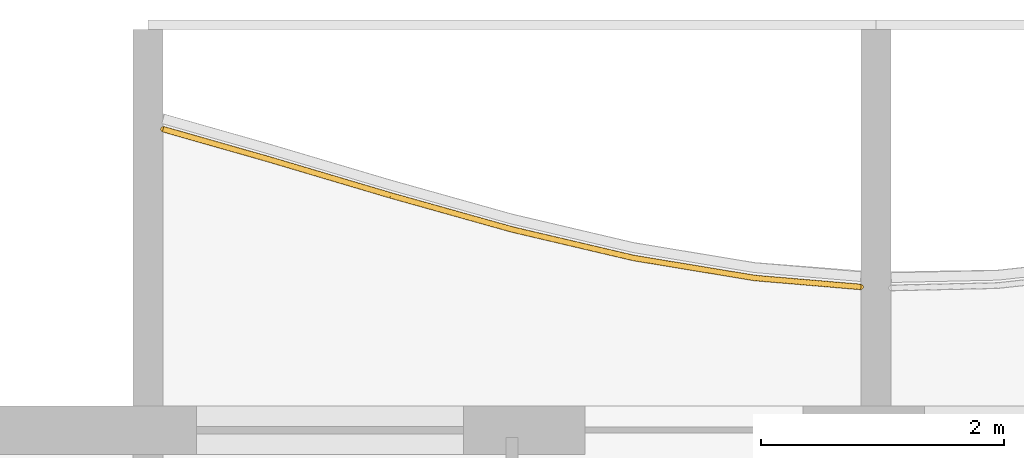
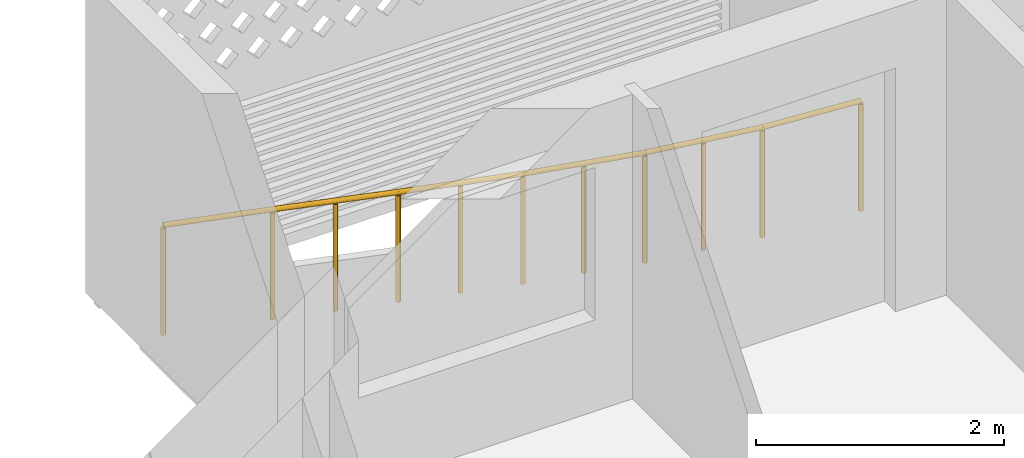
# One storey, part 16 of 27: 1 railing.
"""IFC4 building model written with IfcOpenShell, lengths in metres."""

import ifcopenshell
import ifcopenshell.guid

model = None  # the IFC model being written
_history = None  # IfcOwnerHistory: only IFC2X3 demands one
_inside = {}  # id of a spatial element -> (the spatial element, [elements in it])
_under = {}  # id of a project, library or spatial element -> (it, [spatial elements below it])
_declared = {}  # id of a project -> (the project, [libraries it declares])
_typed = {}  # id of a type object -> (the type object, [elements of that type])
_made_of = {}  # id of a material, layer set ... -> (it, [elements and type objects made of it])


def new_model(schema):
    """Start an empty IFC model of exactly this schema.

    Asked for "IFC4X3", IfcOpenShell would pick the latest addendum, in which some entities
    have other attributes; the version numbers below select the first issue.
    IFC2X3 requires an IfcOwnerHistory on every rooted entity: one is made here for all.
    """
    global model, _history
    if schema == "IFC4X3":
        model = ifcopenshell.file(schema_version=(4, 3, 0, 0))
    else:
        model = ifcopenshell.file(schema=schema)
    _inside.clear()
    _under.clear()
    _declared.clear()
    _typed.clear()
    _made_of.clear()
    _history = None
    if model.schema == "IFC2X3":
        org = make("IfcOrganization", Name="unknown")
        user = make(
            "IfcPersonAndOrganization",
            ThePerson=make("IfcPerson", FamilyName="unknown"),
            TheOrganization=org,
        )
        app = make(
            "IfcApplication",
            ApplicationDeveloper=org,
            Version="unknown",
            ApplicationFullName="unknown",
            ApplicationIdentifier="unknown",
        )
        _history = make(
            "IfcOwnerHistory",
            OwningUser=user,
            OwningApplication=app,
            ChangeAction="ADDED",
            CreationDate=0,
        )
    return model


def make(cls, **values):
    """One entity of the class cls with the attributes given. An attribute that is None is left unset."""
    return model.create_entity(
        cls, **{name: value for name, value in values.items() if value is not None}
    )


def rooted(cls, **values):
    """An entity with a GlobalId (a new one), such as an element, a storey or a relation."""
    return make(cls, GlobalId=ifcopenshell.guid.new(), OwnerHistory=_history, **values)


def si_unit(unit_type, name, prefix=None):
    """IfcSIUnit, for example si_unit("LENGTHUNIT", "METRE", prefix="MILLI")."""
    return make("IfcSIUnit", UnitType=unit_type, Prefix=prefix, Name=name)


def assignment(units):
    """IfcUnitAssignment: the units of a project."""
    return None if units is None else make("IfcUnitAssignment", Units=units)


def point(xyz):
    """IfcCartesianPoint."""
    return None if xyz is None else make("IfcCartesianPoint", Coordinates=xyz)


def direction(xyz):
    """IfcDirection."""
    return None if xyz is None else make("IfcDirection", DirectionRatios=xyz)


def frame(location, z_axis=None, x_axis=None):
    """IfcAxis2Placement3D, a coordinate frame: its origin and axes. An axis left out is left unset."""
    return make(
        "IfcAxis2Placement3D",
        Location=point(location),
        Axis=direction(z_axis),
        RefDirection=direction(x_axis),
    )


def frame_2d(location, x_axis=None):
    """IfcAxis2Placement2D, a coordinate frame in the plane: its origin and x axis."""
    return make(
        "IfcAxis2Placement2D", Location=point(location), RefDirection=direction(x_axis)
    )


def origin():
    """The frame at (0, 0, 0) with its axes left unset."""
    return frame((0.0, 0.0, 0.0))


def origin_2d():
    """The frame at (0, 0) in the plane with its x axis left unset."""
    return frame_2d((0.0, 0.0))


def place(relative_to, where):
    """IfcLocalPlacement: puts the frame where relative to a parent placement (None: the world)."""
    return make(
        "IfcLocalPlacement", PlacementRelTo=relative_to, RelativePlacement=where
    )


def context(
    kind, dimensions, precision=None, world=None, true_north=None, identifier=None
):
    """IfcGeometricRepresentationContext, for example the 3D "Model" context."""
    return make(
        "IfcGeometricRepresentationContext",
        ContextIdentifier=identifier,
        ContextType=kind,
        CoordinateSpaceDimension=dimensions,
        Precision=precision,
        WorldCoordinateSystem=world,
        TrueNorth=true_north,
    )


def subcontext(parent, identifier, kind, view, scale=None):
    """IfcGeometricRepresentationSubContext, for example "Body" below "Model"."""
    return make(
        "IfcGeometricRepresentationSubContext",
        ContextIdentifier=identifier,
        ContextType=kind,
        ParentContext=parent,
        TargetScale=scale,
        TargetView=view,
    )


def project(units=None, contexts=None):
    """IfcProject with its units and contexts."""
    return rooted(
        "IfcProject",
        Name="project",
        RepresentationContexts=contexts,
        UnitsInContext=assignment(units),
    )


def spatial(cls, under=None, at=None, **own):
    """A site, building, storey or space (cls), placed at a placement, below another one or the project."""
    s = rooted(cls, ObjectPlacement=at, **own)
    if under is not None:
        _under.setdefault(under.id(), (under, []))[1].append(s)
    return s


def profile(cls, at=None, kind="AREA", **sizes):
    """A parametric profile (cls). Its sizes go by their IFC names, for example OverallWidth=200.0."""
    return make(cls, ProfileType=kind, Position=at, **sizes)


def circle(**sizes):
    """IfcCircleProfileDef."""
    return profile("IfcCircleProfileDef", **sizes)


def extrude(swept, where, along, depth):
    """IfcExtrudedAreaSolid: the profile swept, set in the frame where, extruded along a direction by depth."""
    return make(
        "IfcExtrudedAreaSolid",
        SweptArea=swept,
        Position=where,
        ExtrudedDirection=direction(along),
        Depth=depth,
    )


def shape(context_of_items, identifier, shape_type, items):
    """IfcShapeRepresentation: the items that make up one representation, for example the "Body"."""
    return make(
        "IfcShapeRepresentation",
        ContextOfItems=context_of_items,
        RepresentationIdentifier=identifier,
        RepresentationType=shape_type,
        Items=items,
    )


def material(Name=None, Category=None):
    """IfcMaterial."""
    return make("IfcMaterial", Name=Name, Category=Category)


def made_of(thing, what):
    """Note that an element or type object is made of a material, layer set ...; save() writes the relation."""
    if what is not None:
        _made_of.setdefault(what.id(), (what, []))[1].append(thing)
    return thing


def type_object(cls, material=None, **own):
    """A type object (cls), such as IfcWallType, which elements share."""
    return made_of(rooted(cls, **own), material)


def element(
    cls,
    number,
    at=None,
    inside=None,
    cuts=None,
    type_object=None,
    material=None,
    context=None,
    identifier="Body",
    shape_type=None,
    held_by="IfcProductDefinitionShape",
    body=None,
    shapes=None,
    **own,
):
    """One element of the class cls, such as IfcWall. Its Tag is "e" and its number.

    at: its placement. inside: the storey or other place that contains it. cuts: it is an
    opening in that element (IfcRelVoidsElement). A single representation is given by context,
    identifier, shape_type and body (its items); several are given by shapes. held_by: the class
    of the entity that holds the representations. save() writes the other relations.
    """
    e = rooted(cls, Tag="e%d" % number, ObjectPlacement=at, **own)
    if body is not None:
        shapes = [shape(context, identifier, shape_type, body)]
    if shapes is not None:
        e.Representation = make(held_by, Representations=shapes)
    if inside is not None:
        _inside.setdefault(inside.id(), (inside, []))[1].append(e)
    if cuts is not None:
        rooted(
            "IfcRelVoidsElement", RelatingBuildingElement=cuts, RelatedOpeningElement=e
        )
    if type_object is not None:
        _typed.setdefault(type_object.id(), (type_object, []))[1].append(e)
    return made_of(e, material)


def aggregate(whole, parts):
    """IfcRelAggregates: a whole, such as a stair, and the parts it consists of."""
    return rooted("IfcRelAggregates", RelatingObject=whole, RelatedObjects=parts)


def save(model, path):
    """Write the relations noted so far, then the file.

    IfcRelAggregates (storeys below a building ...), IfcRelContainedInSpatialStructure (elements
    in a storey), IfcRelDefinesByType, IfcRelAssociatesMaterial and IfcRelDeclares: one each for
    every whole, place, type object, material and project.
    """
    for whole, parts in _under.values():
        aggregate(whole, parts)
    for where, things in _inside.values():
        rooted(
            "IfcRelContainedInSpatialStructure",
            RelatedElements=things,
            RelatingStructure=where,
        )
    for kind, things in _typed.values():
        rooted("IfcRelDefinesByType", RelatedObjects=things, RelatingType=kind)
    for what, things in _made_of.values():
        rooted("IfcRelAssociatesMaterial", RelatedObjects=things, RelatingMaterial=what)
    for by, libraries in _declared.values():
        rooted("IfcRelDeclares", RelatingContext=by, RelatedDefinitions=libraries)
    model.write(path)


model = new_model("IFC4")

# Units and contexts
model_context = context("Model", 3, precision=1e-05, world=origin(), true_north=direction((0.0, 1.0)))
body_context = subcontext(model_context, "Body", "Model", "MODEL_VIEW")
ifc_project = project(units=[si_unit("LENGTHUNIT", "METRE"), si_unit("AREAUNIT", "SQUARE_METRE"), si_unit("VOLUMEUNIT", "CUBIC_METRE"), si_unit("PLANEANGLEUNIT", "RADIAN"), si_unit("MASSUNIT", "GRAM", prefix="KILO")], contexts=[model_context])

# Site, building, storey
site_placement = place(None, origin())
site = spatial("IfcSite", under=ifc_project, at=site_placement, CompositionType="ELEMENT")
building_placement = place(site_placement, origin())
building = spatial("IfcBuilding", under=site, at=building_placement, Name="Poui Terraces", CompositionType="ELEMENT")
storey_placement = place(building_placement, frame((0.0, 0.0, 208.199951171875)))
storey = spatial("IfcBuildingStorey", under=building, at=storey_placement, Name="L58", CompositionType="ELEMENT", Elevation=208.199951171875)

# Railing
ifc_material = material(Name="Painted steel fretwork", Category="steel")
railing_type = type_object("IfcRailingType", Name="BALCONY GUARD 1100", PredefinedType="GUARDRAIL", material=ifc_material)
railing_placement = place(storey_placement, frame((24.125, 43.680419921875, 0.0)))
element("IfcRailing", 1, at=railing_placement, inside=storey, type_object=railing_type, Name="BALCONY GUARD", PredefinedType="GUARDRAIL", context=body_context, shape_type="SweptSolid", body=[
    extrude(circle(Radius=0.02392578125, at=origin_2d()), frame((0.0, 0.0, 1.076171875), z_axis=(0.961736307653, -0.273976777376, 0.0), x_axis=(0.273976777376, 0.961736307653, 0.0)), (0.0, 0.0, 1.0), 0.909912109375),
    extrude(circle(Radius=0.02392578125, at=origin_2d()), frame((0.875, -0.249267578125, 1.076171875), z_axis=(0.958710700624, -0.284383179018, 0.0), x_axis=(0.284383179018, 0.958710700624, 0.0)), (0.0, 0.0, 1.0), 1.04296875),
    extrude(circle(Radius=0.02392578125, at=origin_2d()), frame((1.875, -0.5458984375, 1.076171875), z_axis=(0.962895626656, -0.269874067237, 0.0), x_axis=(0.269874067237, 0.962895626656, 0.0)), (0.0, 0.0, 1.0), 1.03857421875),
    extrude(circle(Radius=0.02392578125, at=origin_2d()), frame((2.875, -0.826171875, 1.076171875), z_axis=(0.973510598085, -0.228641893398, 0.0), x_axis=(0.228641893398, 0.973510598085, 0.0)), (0.0, 0.0, 1.0), 1.027099609375),
    extrude(circle(Radius=0.02392578125, at=origin_2d()), frame((3.875, -1.06103515625, 1.076171875), z_axis=(0.986614372238, -0.163070783693, 0.0), x_axis=(0.163070783693, 0.986614372238, 0.0)), (0.0, 0.0, 1.0), 1.013671875),
    extrude(circle(Radius=0.02392578125, at=origin_2d()), frame((4.875, -1.226318359375, 1.076171875), z_axis=(0.996445334102, -0.08424189069, 0.0), x_axis=(0.08424189069, 0.996445334102, 0.0)), (0.0, 0.0, 1.0), 0.878173828125),
    extrude(circle(Radius=0.02099609375, at=origin_2d()), origin(), (0.0, 0.0, 1.0), 1.052001953125),
    extrude(circle(Radius=0.02099609375, at=origin_2d()), frame((0.875, -0.249267578125, 0.0)), (0.0, 0.0, 1.0), 1.052001953125),
    extrude(circle(Radius=0.02099609375, at=origin_2d()), frame((1.375, -0.3974609375, 0.0)), (0.0, 0.0, 1.0), 1.052001953125),
    extrude(circle(Radius=0.02099609375, at=origin_2d()), frame((1.875, -0.5458984375, 0.0)), (0.0, 0.0, 1.0), 1.052001953125),
    extrude(circle(Radius=0.02099609375, at=origin_2d()), frame((2.375, -0.68603515625, 0.0)), (0.0, 0.0, 1.0), 1.052001953125),
    extrude(circle(Radius=0.02099609375, at=origin_2d()), frame((2.875, -0.826171875, 0.0)), (0.0, 0.0, 1.0), 1.052001953125),
    extrude(circle(Radius=0.02099609375, at=origin_2d()), frame((3.375, -0.943603515625, 0.0)), (0.0, 0.0, 1.0), 1.052001953125),
    extrude(circle(Radius=0.02099609375, at=origin_2d()), frame((3.875, -1.06103515625, 0.0)), (0.0, 0.0, 1.0), 1.052001953125),
    extrude(circle(Radius=0.02099609375, at=origin_2d()), frame((4.375, -1.1435546875, 0.0)), (0.0, 0.0, 1.0), 1.052001953125),
    extrude(circle(Radius=0.02099609375, at=origin_2d()), frame((4.875, -1.226318359375, 0.0)), (0.0, 0.0, 1.0), 1.052001953125),
    extrude(circle(Radius=0.02099609375, at=origin_2d()), frame((5.75, -1.30029296875, 0.0)), (0.0, 0.0, 1.0), 1.052001953125),
])

save(model, "model.ifc")
